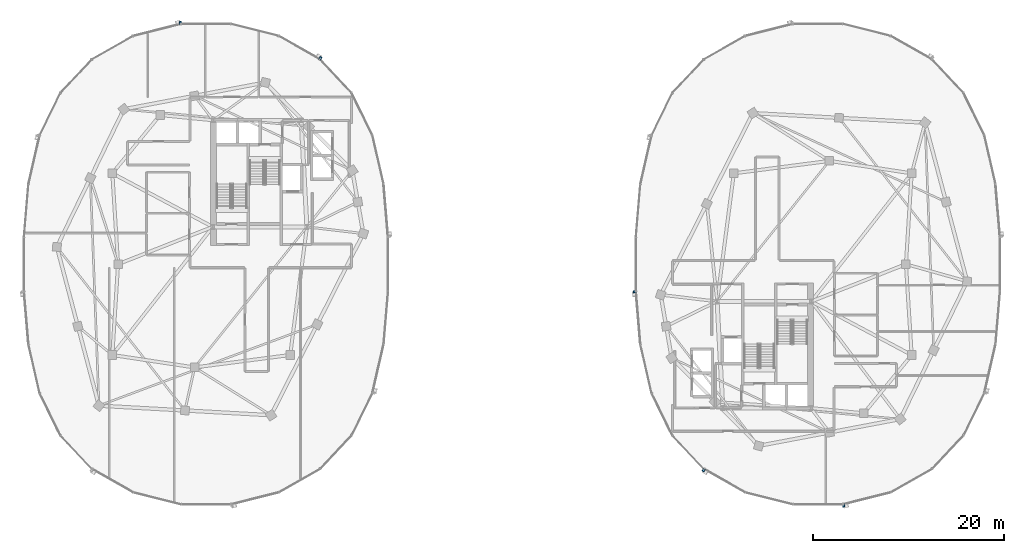
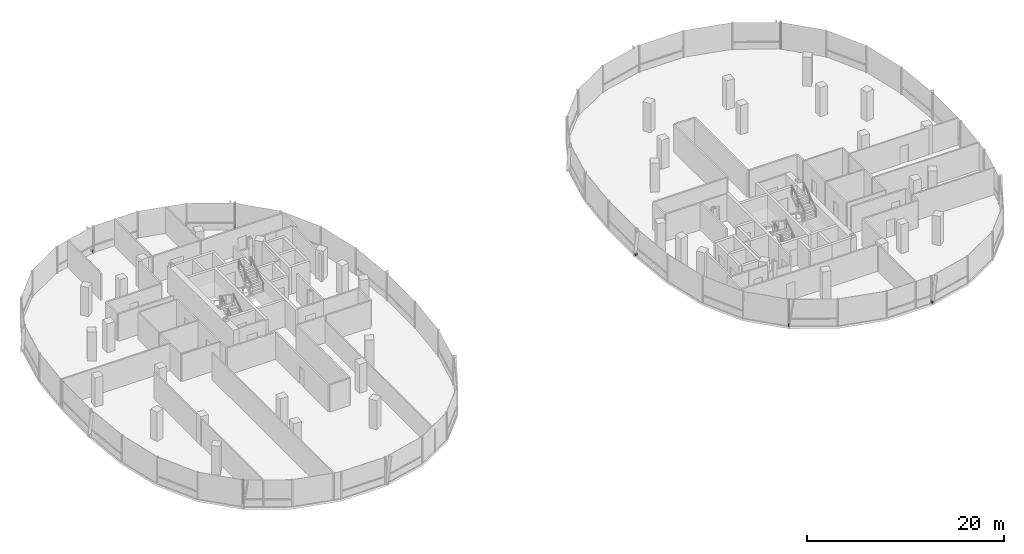
# One storey, part 19 of 25: 5 discrete accessories.
"""IFC4 building model written with IfcOpenShell, lengths in metres."""

from ifc_helpers import new_model, si_unit, direction, frame, origin, origin_2d, place, context, subcontext, project, spatial, rectangle, extrude, material, type_object, element, save


model = new_model("IFC4")

# Units and contexts
model_context = context("Model", 3, precision=1e-05, world=origin(), true_north=direction((0.0, 1.0)))
body_context = subcontext(model_context, "Body", "Model", "MODEL_VIEW")
ifc_project = project(units=[si_unit("LENGTHUNIT", "METRE"), si_unit("AREAUNIT", "SQUARE_METRE"), si_unit("VOLUMEUNIT", "CUBIC_METRE"), si_unit("PLANEANGLEUNIT", "RADIAN"), si_unit("MASSUNIT", "GRAM", prefix="KILO"), si_unit("THERMODYNAMICTEMPERATUREUNIT", "KELVIN"), si_unit("POWERUNIT", "WATT")], contexts=[model_context])

# Site, building, storey
site_placement = place(None, origin())
site = spatial("IfcSite", under=ifc_project, at=site_placement, CompositionType="ELEMENT")
building_placement = place(site_placement, origin())
building = spatial("IfcBuilding", under=site, at=building_placement, Name="Cundina Bronze Exchange", CompositionType="ELEMENT")
storey_placement = place(building_placement, frame((0.0, 0.0, 195.39990234375)))
storey = spatial("IfcBuildingStorey", under=building, at=storey_placement, Name="L51", CompositionType="ELEMENT", Elevation=195.39990234375)

# Discrete accessories
ifc_material = material(Name="Anodised Bronze Aluminium 6063-T6", Category="aluminium")
discrete_accessory_type = type_object("IfcDiscreteAccessoryType", Name="ACC-BRK-FIN", PredefinedType="BRACKET", material=ifc_material)
for number, where, z_axis, x_axis, name in (
    (1, (-20.038818359375, 21.539794921875, 0.10009765625), (0.0, 0.0, 1.0), (-0.869572506985, 0.493805280547, 0.0), "L51 Fin Support Bracket 5"),
    (2, (-34.678955078125, 25.23779296875, 0.10009765625), (0.0, 0.0, 1.0), (-0.969731542251, -0.244173577528, 0.0), "L51 Fin Support Bracket 1"),
    (3, (12.84521484375, -2.893798828125, 0.10009765625), (0.0, 0.0, 1.0), (0.083747411454, -0.996487015006, 0.0), "L51 Fin Support Bracket 1"),
    (4, (20.038818359375, -21.539794921875, 0.10009765625), (0.0, 0.0, 1.0), (0.869572506985, -0.493805280547, 0.0), "L51 Fin Support Bracket 5"),
    (5, (34.678955078125, -25.23779296875, 0.10009765625), (0.0, 0.0, 1.0), (0.969731542251, 0.244173577528, 0.0), "L51 Fin Support Bracket 1"),
):
    element("IfcDiscreteAccessory", number, at=place(storey_placement, frame(where, z_axis=z_axis, x_axis=x_axis)), inside=storey, type_object=discrete_accessory_type, Name=name, PredefinedType="BRACKET", context=body_context, shape_type="SweptSolid", body=[
        extrude(rectangle(XDim=0.219970703125, YDim=0.320068359375, at=origin_2d()), origin(), (0.0, 0.0, 1.0), 0.239990234375),
    ])

save(model, "model.ifc")
